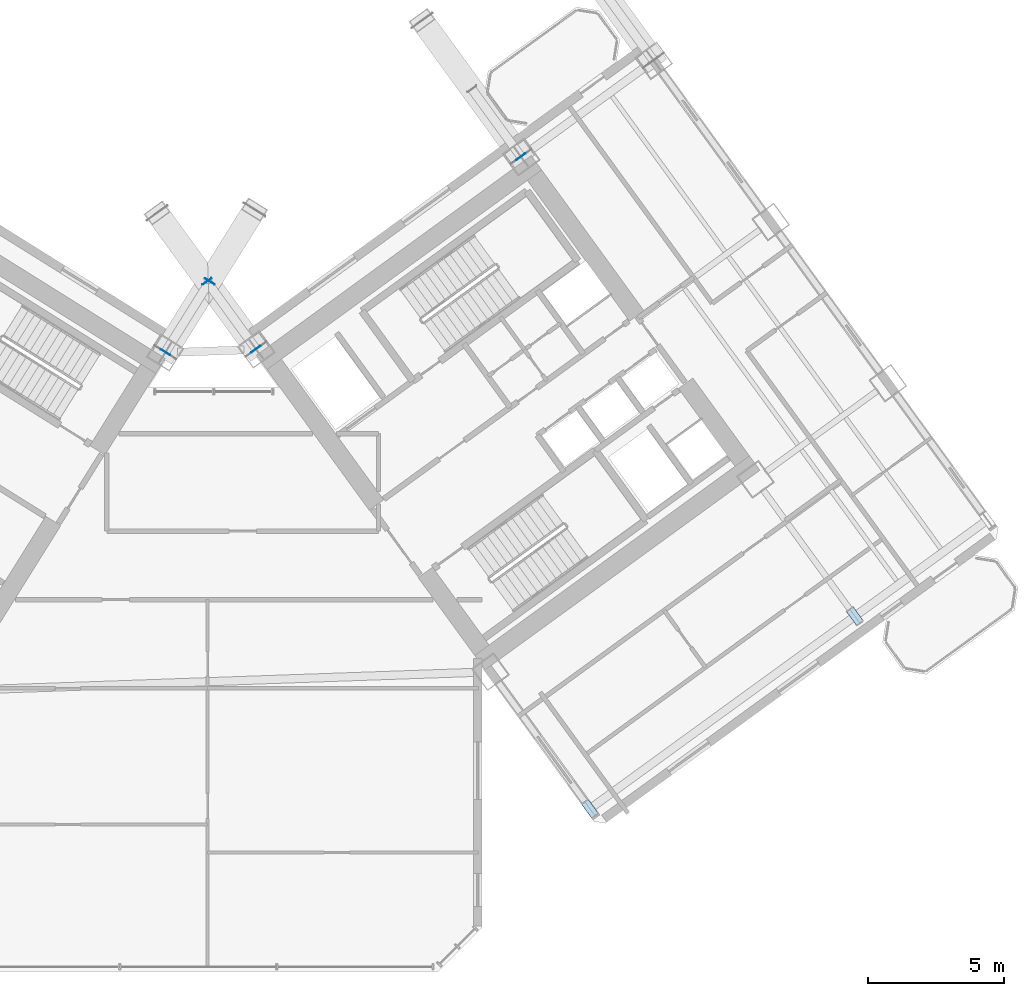
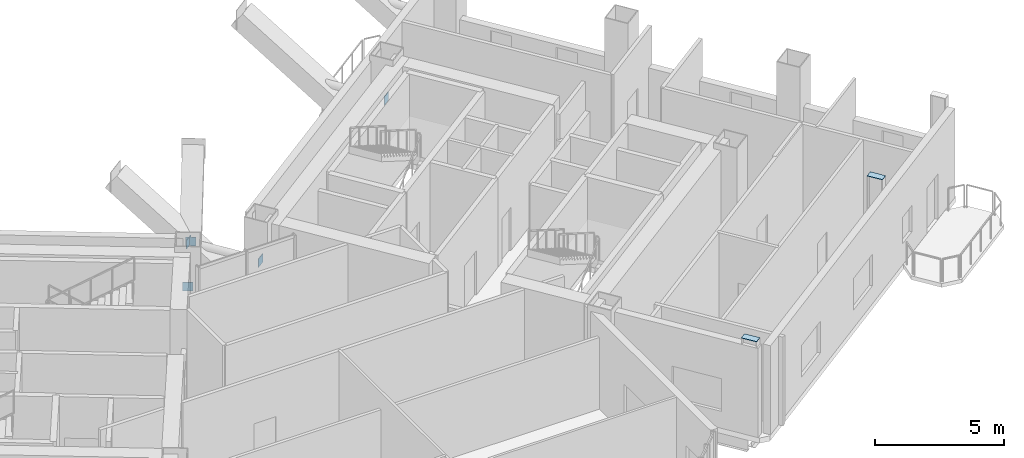
# One storey, part 18 of 30: 7 plates.
"""IFC4 building model written with IfcOpenShell, lengths in metres."""

from ifc_helpers import new_model, si_unit, direction, frame, origin, origin_2d, place, context, subcontext, project, spatial, rectangle, extrude, source, transform, mapped, material, layer, layer_set, type_object, element, save


model = new_model("IFC4")

# Units and contexts
model_context = context("Model", 3, precision=1e-05, world=origin(), true_north=direction((0.0, 1.0)))
body_context = subcontext(model_context, "Body", "Model", "MODEL_VIEW")
ifc_project = project(units=[si_unit("LENGTHUNIT", "METRE"), si_unit("AREAUNIT", "SQUARE_METRE"), si_unit("VOLUMEUNIT", "CUBIC_METRE"), si_unit("PLANEANGLEUNIT", "RADIAN"), si_unit("MASSUNIT", "GRAM", prefix="KILO")], contexts=[model_context])

# Site, building, storey
site_placement = place(None, origin())
site = spatial("IfcSite", under=ifc_project, at=site_placement, CompositionType="ELEMENT")
building_placement = place(site_placement, origin())
building = spatial("IfcBuilding", under=site, at=building_placement, Name="Tlacorven Tower", CompositionType="ELEMENT")
storey_placement = place(building_placement, frame((0.0, 0.0, 67.199951171875)))
storey = spatial("IfcBuildingStorey", under=building, at=storey_placement, Name="L17", CompositionType="ELEMENT", Elevation=67.199951171875)

# Plates
ifc_material = material(Name="Steel S460M", Category="steel")
ifc_layer = layer(ifc_material, 0.02392578125)
ifc_layer_set = layer_set([ifc_layer], Name="Steel S460M")
plate_type = type_object("IfcPlateType", Name="PL-CAP-END1", PredefinedType="USERDEFINED", material=ifc_layer_set)
shared_shape_1 = source(origin(), body_context, "Body", "SweptSolid", [
    extrude(rectangle(XDim=0.02392578125, YDim=0.40380859375, at=origin_2d()), origin(), (0.0, 0.0, 1.0), 0.40380859375),
])
for number, where, z_axis, x_axis, name in (
    (1, (40.79345703125, 24.4853515625, 2.048095703125), (0.0, 0.0, 1.0), (0.529920242032, 0.848047485159, 0.0), "L17 hollow end cap plate SBR-L17-W1 1"),
    (2, (42.4150390625, 27.080322265625, 2.048095703125), (0.0, 0.0, 1.0), (0.529920242032, 0.848047485159, 0.0), "L17 hollow end cap plate SBR-L17-W1 2"),
    (3, (44.112060546875, 24.601318359375, 2.048095703125), (0.0, 0.0, 1.0), (-0.587784872394, 0.809017270388, 0.0), "L17 hollow end cap plate SBR-L17-E1 1"),
    (4, (42.3134765625, 27.076904296875, 2.048095703125), (0.0, 0.0, 1.0), (-0.587784872394, 0.809017270388, 0.0), "L17 hollow end cap plate SBR-L17-E1 2"),
    (5, (53.8203125, 31.654541015625, 2.048095703125), (0.0, 0.0, 1.0), (-0.58778405524, 0.809017864083, 0.0), "L17 hollow end cap plate SBR-L17-E3 1"),
):
    element("IfcPlate", number, at=place(storey_placement, frame(where, z_axis=z_axis, x_axis=x_axis)), inside=storey, type_object=plate_type, Name=name, ObjectType="END PLATE", PredefinedType="USERDEFINED", context=body_context, shape_type="MappedRepresentation", body=[
        mapped(shared_shape_1, transform((0.0, 0.0, 0.0), scale=1.0)),
    ])
shared_shape_2 = source(origin(), body_context, "Body", "SweptSolid", [
    extrude(rectangle(XDim=0.300048828125, YDim=0.64990234375, at=origin_2d()), origin(), (0.0, 0.0, 1.0), 0.02392578125),
])
for number, where, z_axis, x_axis, name in (
    (6, (56.349609375, 7.757568359375, 4.498046875), (0.0, 0.0, 1.0), (0.809016994375, 0.587785252292, 0.0), "L17 Hollow Column Top Cap Plate COL-L17-E1-1"),
    (7, (66.057861328125, 14.81103515625, 4.498046875), (0.0, 0.0, 1.0), (0.809016994375, 0.587785252292, 0.0), "L17 Hollow Column Top Cap Plate COL-L17-E3-1"),
):
    element("IfcPlate", number, at=place(storey_placement, frame(where, z_axis=z_axis, x_axis=x_axis)), inside=storey, type_object=plate_type, Name=name, ObjectType="END PLATE", PredefinedType="USERDEFINED", context=body_context, shape_type="MappedRepresentation", body=[
        mapped(shared_shape_2, transform((0.0, 0.0, 0.0), scale=1.0)),
    ])

save(model, "model.ifc")
